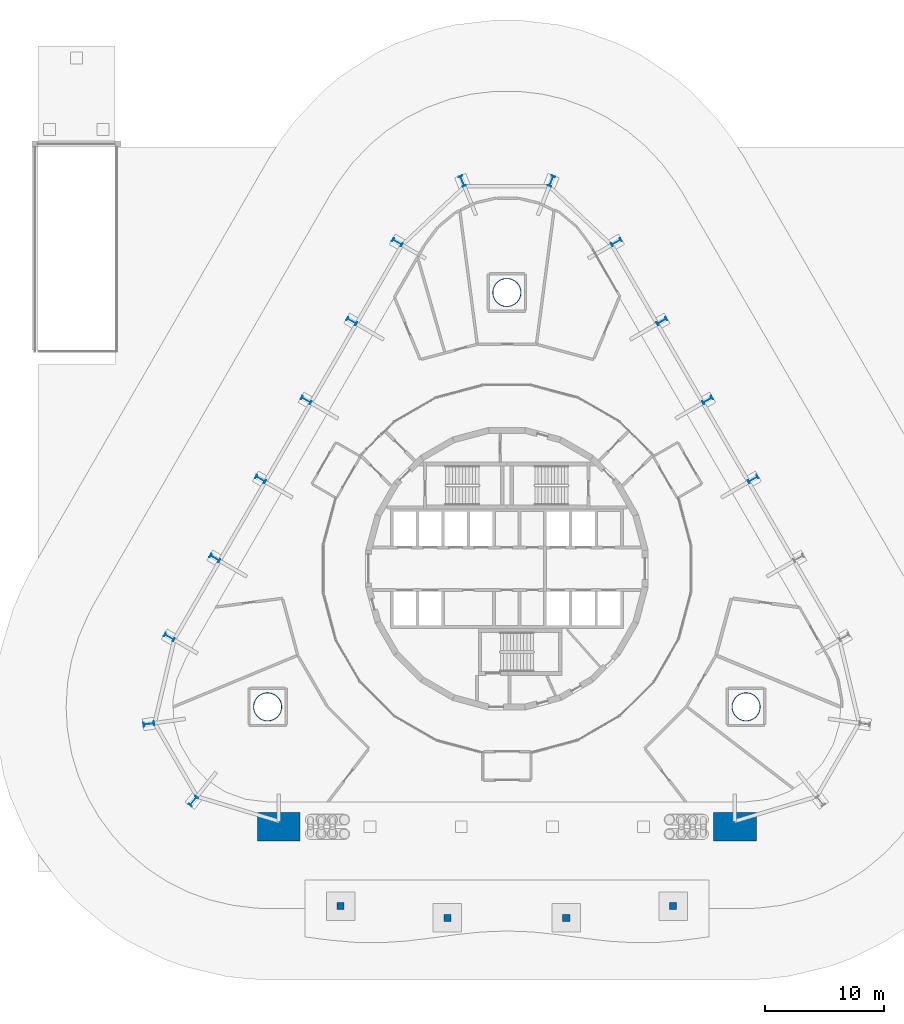
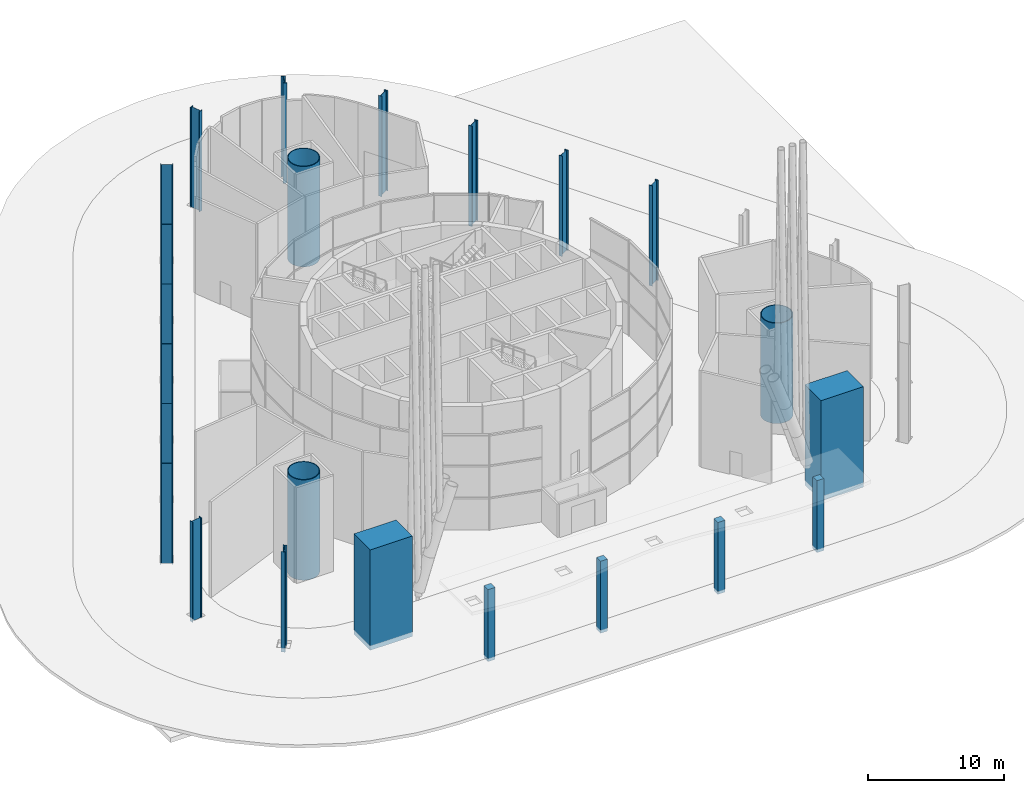
# One storey, part 2 of 21: 23 columns.
"""IFC4 building model written with IfcOpenShell, lengths in metres."""

from ifc_helpers import new_model, si_unit, direction, frame, origin, origin_2d, place, context, subcontext, project, spatial, rectangle, hollow_circle, i_section, extrude, material, material_profile, profile_set, type_object, element, save


model = new_model("IFC4")

# Units and contexts
model_context = context("Model", 3, precision=1e-05, world=origin(), true_north=direction((0.0, 1.0)))
body_context = subcontext(model_context, "Body", "Model", "MODEL_VIEW")
ifc_project = project(units=[si_unit("LENGTHUNIT", "METRE"), si_unit("AREAUNIT", "SQUARE_METRE"), si_unit("VOLUMEUNIT", "CUBIC_METRE"), si_unit("PLANEANGLEUNIT", "RADIAN"), si_unit("MASSUNIT", "GRAM", prefix="KILO")], contexts=[model_context])

# Site, building, storey
site_placement = place(None, origin())
site = spatial("IfcSite", under=ifc_project, at=site_placement, CompositionType="ELEMENT")
building_placement = place(site_placement, origin())
building = spatial("IfcBuilding", under=site, at=building_placement, Name="Spindle Arch Residences", CompositionType="ELEMENT")
storey_placement = place(building_placement, origin())
storey = spatial("IfcBuildingStorey", under=building, at=storey_placement, Name="L00", CompositionType="ELEMENT", Elevation=0.0)

# Columns
ifc_material_1 = material(Name="Concrete C50/60", Category="concrete")
ifc_material_profile_1 = material_profile(ifc_material_1, rectangle(XDim=3.60009765625, YDim=2.39990234375, at=origin_2d()), Name="RC 3600x2400")
ifc_profile_set_1 = profile_set([ifc_material_profile_1], Name="Concrete C50/60")
column_type_1 = type_object("IfcColumnType", Name="Arcade pier RC 3600x2400", PredefinedType="COLUMN", material=ifc_profile_set_1)
for number, where, z_axis, x_axis, name in (
    (1, (-19.2001953125, -21.72998046875, -0.419921875), (0.0, 0.0, 1.0), (1.0, 0.0, 0.0), "Arcade pier W"),
    (2, (19.2001953125, -21.72998046875, -0.419921875), (0.0, 0.0, 1.0), (1.0, 0.0, 0.0), "Arcade pier E"),
):
    element("IfcColumn", number, at=place(storey_placement, frame(where, z_axis=z_axis, x_axis=x_axis)), inside=storey, type_object=column_type_1, Name=name, PredefinedType="COLUMN", context=body_context, shape_type="SweptSolid", body=[
        extrude(rectangle(XDim=3.60009765625, YDim=2.39990234375, at=origin_2d()), origin(), (0.0, 0.0, 1.0), 9.0400390625),
    ])
ifc_material_2 = material(Name="Steel S460ML, intumescent coating R 240", Category="steel")
ifc_material_profile_2 = material_profile(ifc_material_2, i_section(OverallWidth=0.300048828125, OverallDepth=0.89990234375, WebThickness=0.0185546875, FlangeThickness=0.034912109375, FilletRadius=0.030029296875, at=origin_2d()), Name="HEB 900")
ifc_profile_set_2 = profile_set([ifc_material_profile_2], Name="Steel S460ML, intumescent coating R 240")
column_type_2 = type_object("IfcColumnType", Name="Exoskeleton post HEB 900", PredefinedType="COLUMN", material=ifc_profile_set_2)
for number, where, z_axis, x_axis, name in (
    (3, (20.73876953125, 7.539306640625, -0.419921875), (0.0, 0.0, 1.0), (0.50000017485, -0.866025302835, 0.0), "Exoskeleton post 8"),
    (4, (16.898681640625, 14.1904296875, -0.419921875), (0.0, 0.0, 1.0), (0.50000017485, -0.866025302835, 0.0), "Exoskeleton post 9"),
    (5, (13.05859375, 20.841796875, -0.419921875), (0.0, 0.0, 1.0), (0.50000017485, -0.866025302835, 0.0), "Exoskeleton post 10"),
    (6, (9.218505859375, 27.492919921875, -0.419921875), (0.0, 0.0, 1.0), (0.50000017485, -0.866025302835, 0.0), "Exoskeleton post 11"),
    (7, (3.748291015625, 32.638671875, -0.419921875), (0.0, 0.0, 1.0), (0.928589751246, -0.371107900591, 0.0), "Exoskeleton post 12"),
    (8, (-3.748291015625, 32.638671875, -0.419921875), (0.0, 0.0, 1.0), (0.928589751246, 0.371107900591, 0.0), "Exoskeleton post 13"),
    (9, (-9.218505859375, 27.492919921875, -0.419921875), (0.0, 0.0, 1.0), (0.50000017485, 0.866025302835, 0.0), "Exoskeleton post 14"),
    (10, (-13.05859375, 20.841796875, -0.419921875), (0.0, 0.0, 1.0), (0.50000017485, 0.866025302835, 0.0), "Exoskeleton post 15"),
    (11, (-16.898681640625, 14.1904296875, -0.419921875), (0.0, 0.0, 1.0), (0.50000017485, 0.866025302835, 0.0), "Exoskeleton post 16"),
    (12, (-20.73876953125, 7.539306640625, -0.419921875), (0.0, 0.0, 1.0), (0.50000017485, 0.866025302835, 0.0), "Exoskeleton post 17"),
    (13, (-24.57861328125, 0.88818359375, -0.419921875), (0.0, 0.0, 1.0), (0.50000017485, 0.866025302835, 0.0), "Exoskeleton post 18"),
    (14, (-28.418701171875, -5.762939453125, -0.419921875), (0.0, 0.0, 1.0), (0.50000017485, 0.866025302835, 0.0), "Exoskeleton post 19"),
    (15, (-30.139892578125, -13.0732421875, -0.419921875), (0.0, 0.0, 1.0), (-0.142906037553, 0.989736260036, 0.0), "Exoskeleton post 20"),
    (16, (-26.3916015625, -19.565185546875, -0.419921875), (0.0, 0.0, 1.0), (-0.7856835335, 0.618628632693, 0.0), "Exoskeleton post 21"),
):
    element("IfcColumn", number, at=place(storey_placement, frame(where, z_axis=z_axis, x_axis=x_axis)), inside=storey, type_object=column_type_2, Name=name, PredefinedType="COLUMN", context=body_context, shape_type="SweptSolid", body=[
        extrude(i_section(OverallWidth=0.300048828125, OverallDepth=0.89990234375, WebThickness=0.0185546875, FlangeThickness=0.034912109375, FilletRadius=0.030029296875, at=origin_2d()), origin(), (0.0, 0.0, 1.0), 9.0400390625),
    ])
ifc_material_3 = material(Name="Concrete C50/60", Category="concrete")
ifc_material_profile_3 = material_profile(ifc_material_3, rectangle(XDim=0.60009765625, YDim=0.60009765625, at=origin_2d()), Name="RC 600x600")
ifc_profile_set_3 = profile_set([ifc_material_profile_3], Name="Concrete C50/60")
column_type_3 = type_object("IfcColumnType", Name="Marquise column 600x600", PredefinedType="COLUMN", material=ifc_profile_set_3)
for number, where, z_axis, x_axis, name in (
    (17, (-14.0, -28.39990234375, -0.280029296875), (0.0, 0.0, 1.0), (1.0, 0.0, 0.0), "Marquise column 1"),
    (18, (-5.0, -29.39990234375, -0.280029296875), (0.0, 0.0, 1.0), (1.0, 0.0, 0.0), "Marquise column 2"),
    (19, (5.0, -29.39990234375, -0.280029296875), (0.0, 0.0, 1.0), (1.0, 0.0, 0.0), "Marquise column 3"),
    (20, (14.0, -28.39990234375, -0.280029296875), (0.0, 0.0, 1.0), (1.0, 0.0, 0.0), "Marquise column 4"),
):
    element("IfcColumn", number, at=place(storey_placement, frame(where, z_axis=z_axis, x_axis=x_axis)), inside=storey, type_object=column_type_3, Name=name, PredefinedType="COLUMN", context=body_context, shape_type="SweptSolid", body=[
        extrude(rectangle(XDim=0.60009765625, YDim=0.60009765625, at=origin_2d()), origin(), (0.0, 0.0, 1.0), 6.47998046875),
    ])
ifc_material_4 = material(Name="Concrete C50/60 filled steel tube S460ML, intumescent coating R 240", Category="concrete")
ifc_material_profile_4 = material_profile(ifc_material_4, hollow_circle(Radius=1.199951171875, WallThickness=0.06005859375, at=origin_2d()), Name="CFT D2400x60")
ifc_profile_set_4 = profile_set([ifc_material_profile_4], Name="Concrete C50/60 filled steel tube S460ML, intumescent coating R 240")
column_type_4 = type_object("IfcColumnType", Name="Mega-column CFT D2400x60", PredefinedType="COLUMN", material=ifc_profile_set_4)
for number, where, z_axis, x_axis, name in (
    (21, (20.1435546875, -11.6298828125, -0.419921875), (0.0, 0.0, 1.0), (1.0, 0.0, 0.0), "Mega-column 1"),
    (22, (0.0, 23.259765625, -0.419921875), (0.0, 0.0, 1.0), (1.0, 0.0, 0.0), "Mega-column 2"),
    (23, (-20.1435546875, -11.6298828125, -0.419921875), (0.0, 0.0, 1.0), (1.0, 0.0, 0.0), "Mega-column 3"),
):
    element("IfcColumn", number, at=place(storey_placement, frame(where, z_axis=z_axis, x_axis=x_axis)), inside=storey, type_object=column_type_4, Name=name, PredefinedType="COLUMN", context=body_context, shape_type="SweptSolid", body=[
        extrude(hollow_circle(Radius=1.199951171875, WallThickness=0.06005859375, at=origin_2d()), origin(), (0.0, 0.0, 1.0), 9.0400390625),
    ])

save(model, "model.ifc")
